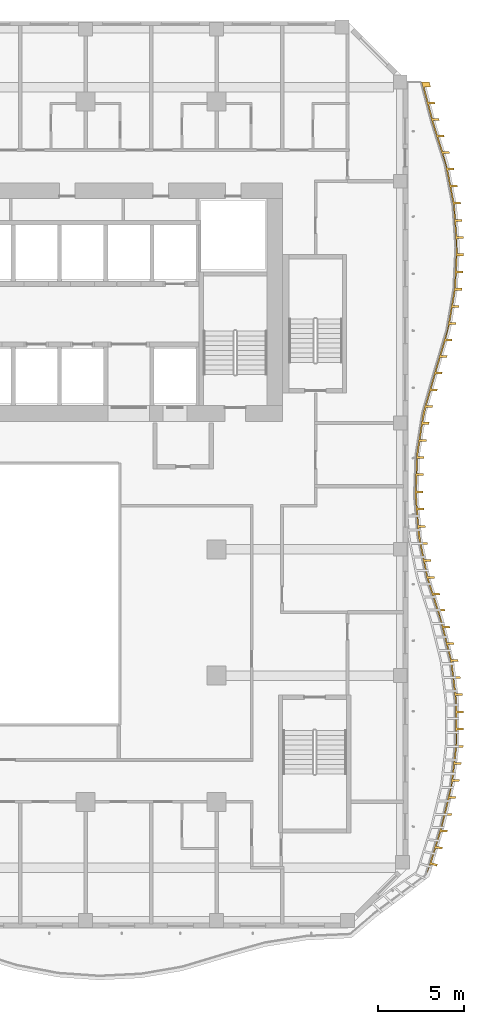
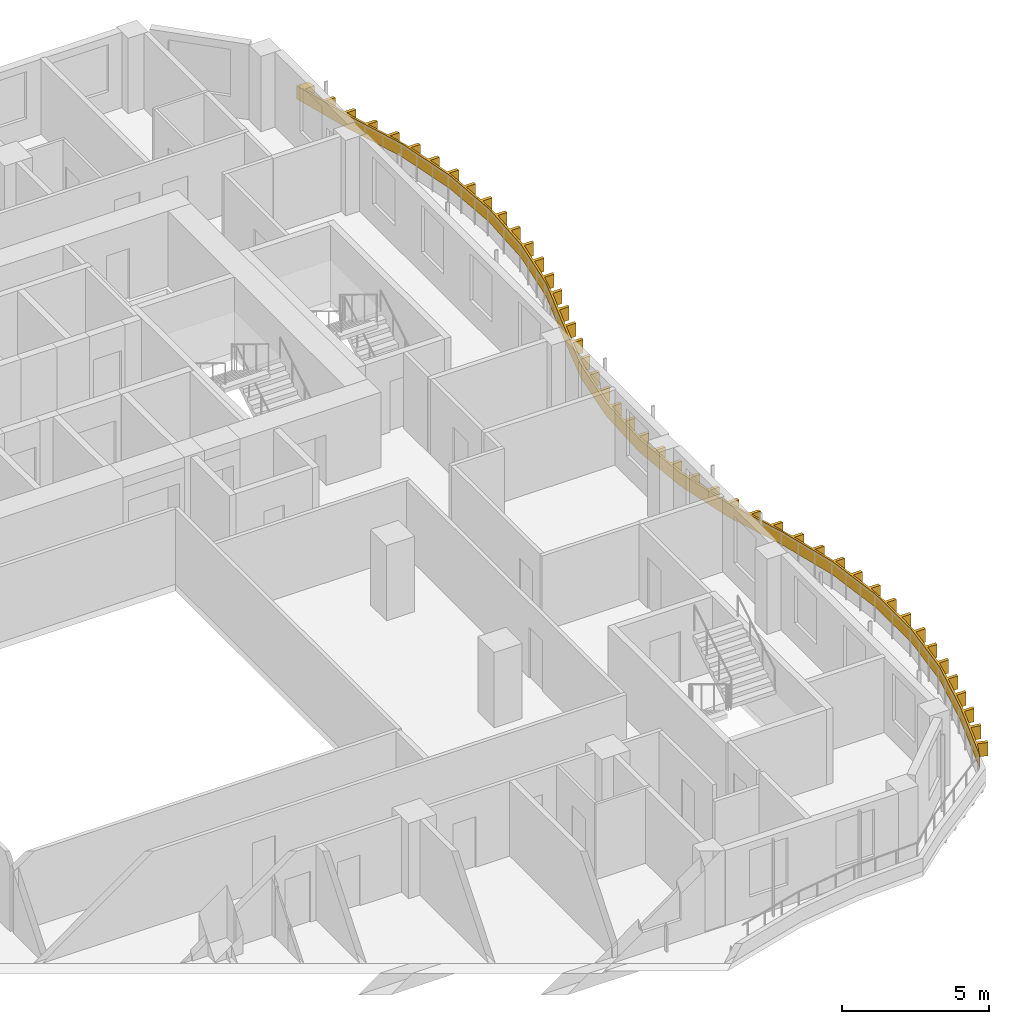
# One storey, part 19 of 22: 1 shading device.
"""IFC4 building model written with IfcOpenShell, lengths in metres."""

from ifc_helpers import new_model, si_unit, direction, frame, origin, place, context, subcontext, project, spatial, polyline, outline, extrude, source, transform, mapped, material, layer, layer_set, type_object, element, save


model = new_model("IFC4")

# Units and contexts
model_context = context("Model", 3, precision=1e-05, world=origin(), true_north=direction((0.0, 1.0)))
body_context = subcontext(model_context, "Body", "Model", "MODEL_VIEW")
ifc_project = project(units=[si_unit("LENGTHUNIT", "METRE"), si_unit("AREAUNIT", "SQUARE_METRE"), si_unit("VOLUMEUNIT", "CUBIC_METRE"), si_unit("PLANEANGLEUNIT", "RADIAN"), si_unit("MASSUNIT", "GRAM", prefix="KILO")], contexts=[model_context])

# Site, building, storey
site_placement = place(None, origin())
site = spatial("IfcSite", under=ifc_project, at=site_placement, CompositionType="ELEMENT")
building_placement = place(site_placement, origin())
building = spatial("IfcBuilding", under=site, at=building_placement, Name="Kilnfold Tower and Market Hall", CompositionType="ELEMENT")
storey_placement = place(building_placement, frame((0.0, 0.0, 143.89990234375)))
storey = spatial("IfcBuildingStorey", under=building, at=storey_placement, Name="L32", CompositionType="ELEMENT", Elevation=143.89990234375)

# Shading device
ifc_material = material(Name="Bronze anodised aluminium", Category="aluminium")
ifc_layer = layer(ifc_material, 0.550048828125)
ifc_layer_set = layer_set([ifc_layer], Name="Bronze anodised aluminium")
shading_device_type = type_object("IfcShadingDeviceType", Name="BRONZE SLAT FASCIA 550", PredefinedType="USERDEFINED", material=ifc_layer_set)
shared_shape = source(origin(), body_context, "Body", "SweptSolid", [
    extrude(outline(polyline([(26.9248046875, -17.670166015625), (26.57470703125, -17.560302734375), (26.3203125, -18.129150390625), (27.167724609375, -15.355224609375), (27.7431640625, -12.96044921875), (28.019287109375, -10.56591796875), (28.009033203125, -8.171142578125), (27.711669921875, -5.7763671875), (27.114013671875, -3.381591796875), (26.34228515625, -0.98681640625), (25.8515625, 1.407958984375), (25.655029296875, 3.802490234375), (25.743896484375, 6.197509765625), (26.122314453125, 8.592041015625), (26.8076171875, 10.98681640625), (27.523681640625, 13.381591796875), (27.931396484375, 15.7763671875), (28.048828125, 18.171142578125), (27.880859375, 20.56591796875), (27.420166015625, 22.96044921875), (26.66259765625, 25.355224609375), (26.03369140625, 27.75), (26.48388671875, 27.75), (26.56494140625, 27.441162109375), (26.19482421875, 27.441162109375), (26.41845703125, 26.590087890625), (26.788330078125, 26.590087890625), (26.81884765625, 26.47412109375), (26.448974609375, 26.47412109375), (26.67236328125, 25.622802734375), (27.04248046875, 25.622802734375), (27.072998046875, 25.5068359375), (26.702880859375, 25.5068359375), (26.960693359375, 24.66552734375), (27.330810546875, 24.66552734375), (27.366943359375, 24.55126953125), (26.9970703125, 24.55126953125), (27.262451171875, 23.712158203125), (27.63232421875, 23.712158203125), (27.668701171875, 23.59765625), (27.298583984375, 23.59765625), (27.5400390625, 22.752685546875), (27.91015625, 22.752685546875), (27.932861328125, 22.634765625), (27.562744140625, 22.634765625), (27.72900390625, 21.7705078125), (28.09912109375, 21.7705078125), (28.12158203125, 21.65283203125), (27.751708984375, 21.65283203125), (27.91796875, 20.788818359375), (28.2880859375, 20.788818359375), (28.310791015625, 20.6708984375), (27.940673828125, 20.6708984375), (28.014892578125, 19.794677734375), (28.385009765625, 19.794677734375), (28.393310546875, 19.6748046875), (28.0234375, 19.6748046875), (28.0849609375, 18.797119140625), (28.455078125, 18.797119140625), (28.46337890625, 18.677490234375), (28.093505859375, 18.677490234375), (28.110595703125, 17.799072265625), (28.480712890625, 17.799072265625), (28.474853515625, 17.67919921875), (28.104736328125, 17.67919921875), (28.061767578125, 16.80029296875), (28.431640625, 16.80029296875), (28.42578125, 16.680419921875), (28.055908203125, 16.680419921875), (28.0126953125, 15.801513671875), (28.3828125, 15.801513671875), (28.381591796875, 15.7763671875), (28.365478515625, 15.682861328125), (27.99560546875, 15.682861328125), (27.847900390625, 14.815185546875), (28.218017578125, 14.815185546875), (28.19775390625, 14.697021484375), (27.82763671875, 14.697021484375), (27.679931640625, 13.82958984375), (28.050048828125, 13.82958984375), (28.02978515625, 13.711181640625), (27.659912109375, 13.711181640625), (27.447509765625, 12.85888671875), (27.8173828125, 12.85888671875), (27.782958984375, 12.743896484375), (27.4130859375, 12.743896484375), (27.160888671875, 11.90087890625), (27.53076171875, 11.90087890625), (27.49658203125, 11.785888671875), (27.12646484375, 11.785888671875), (26.874755859375, 10.942626953125), (27.244873046875, 10.942626953125), (27.2119140625, 10.8271484375), (26.841796875, 10.8271484375), (26.599853515625, 9.981201171875), (26.9697265625, 9.981201171875), (26.936767578125, 9.86572265625), (26.56689453125, 9.86572265625), (26.32470703125, 9.019775390625), (26.694580078125, 9.019775390625), (26.66162109375, 8.904296875), (26.291748046875, 8.904296875), (26.11572265625, 8.043701171875), (26.485595703125, 8.043701171875), (26.467041015625, 7.925048828125), (26.096923828125, 7.925048828125), (25.959716796875, 7.055908203125), (26.32958984375, 7.055908203125), (26.310791015625, 6.9375), (25.94091796875, 6.9375), (25.819091796875, 6.066650390625), (26.189208984375, 6.066650390625), (26.184814453125, 5.94677734375), (25.814697265625, 5.94677734375), (25.781982421875, 5.0673828125), (26.152099609375, 5.0673828125), (26.1474609375, 4.947509765625), (25.777587890625, 4.947509765625), (25.744873046875, 4.068115234375), (26.114990234375, 4.068115234375), (26.1103515625, 3.947998046875), (25.740478515625, 3.947998046875), (25.795166015625, 3.07080078125), (26.1650390625, 3.07080078125), (26.1748046875, 2.951171875), (25.804931640625, 2.951171875), (25.876708984375, 2.073974609375), (26.246826171875, 2.073974609375), (26.256591796875, 1.954345703125), (25.88671875, 1.954345703125), (25.998046875, 1.0830078125), (26.3681640625, 1.0830078125), (26.39208984375, 0.965576171875), (26.022216796875, 0.965576171875), (26.19873046875, 0.103515625), (26.56884765625, 0.103515625), (26.593017578125, -0.01416015625), (26.222900390625, -0.01416015625), (26.399658203125, -0.876220703125), (26.76953125, -0.876220703125), (26.79443359375, -0.99365234375), (26.42431640625, -0.99365234375), (26.6943359375, -1.831298828125), (27.064208984375, -1.831298828125), (27.10107421875, -1.9453125), (26.731201171875, -1.9453125), (27.001220703125, -2.782958984375), (27.37109375, -2.782958984375), (27.407958984375, -2.897216796875), (27.037841796875, -2.897216796875), (27.283935546875, -3.74169921875), (27.65380859375, -3.74169921875), (27.682861328125, -3.858154296875), (27.31298828125, -3.858154296875), (27.52587890625, -4.7119140625), (27.89599609375, -4.7119140625), (27.925048828125, -4.828369140625), (27.55517578125, -4.828369140625), (27.768310546875, -5.68212890625), (28.13818359375, -5.68212890625), (28.16162109375, -5.7763671875), (28.16455078125, -5.799072265625), (27.79443359375, -5.799072265625), (27.903076171875, -6.67236328125), (28.27294921875, -6.67236328125), (28.287841796875, -6.79150390625), (27.917724609375, -6.79150390625), (28.026123046875, -7.664794921875), (28.396240234375, -7.664794921875), (28.410888671875, -7.78369140625), (28.041015625, -7.78369140625), (28.09130859375, -8.660888671875), (28.461181640625, -8.660888671875), (28.461669921875, -8.78076171875), (28.091796875, -8.78076171875), (28.095458984375, -9.660888671875), (28.465576171875, -9.660888671875), (28.466064453125, -9.78076171875), (28.095947265625, -9.78076171875), (28.08837890625, -10.66015625), (28.45849609375, -10.66015625), (28.44482421875, -10.779296875), (28.07470703125, -10.779296875), (27.973876953125, -11.653564453125), (28.343994140625, -11.653564453125), (28.330078125, -11.772705078125), (27.960205078125, -11.772705078125), (27.859375, -12.64697265625), (28.229248046875, -12.64697265625), (28.215576171875, -12.76611328125), (27.845458984375, -12.76611328125), (27.6630859375, -13.6259765625), (28.033203125, -13.6259765625), (28.005126953125, -13.74267578125), (27.63525390625, -13.74267578125), (27.4296875, -14.598388671875), (27.799560546875, -14.598388671875), (27.771484375, -14.715087890625), (27.401611328125, -14.715087890625), (27.18359375, -15.56396484375), (27.55224609375, -15.57421875), (27.5166015625, -15.69287109375), (27.14892578125, -15.677001953125), (26.895263671875, -16.505615234375), (27.256103515625, -16.562744140625), (27.220703125, -16.681396484375), (26.86083984375, -16.61865234375), (26.60888671875, -17.447509765625), (26.960205078125, -17.551513671875), (26.9248046875, -17.670166015625)])), origin(), (0.0, 0.0, 1.0), 0.550048828125),
])
shading_device_placement = place(storey_placement, frame((0.0, 0.0, 0.550048828125)))
element("IfcShadingDevice", 1, at=shading_device_placement, inside=storey, type_object=shading_device_type, Name="Balcony slat fascia L32", ObjectType="SLAT", PredefinedType="USERDEFINED", context=body_context, shape_type="MappedRepresentation", body=[
    mapped(shared_shape, transform((0.0, 0.0, 0.0))),
])

save(model, "model.ifc")
